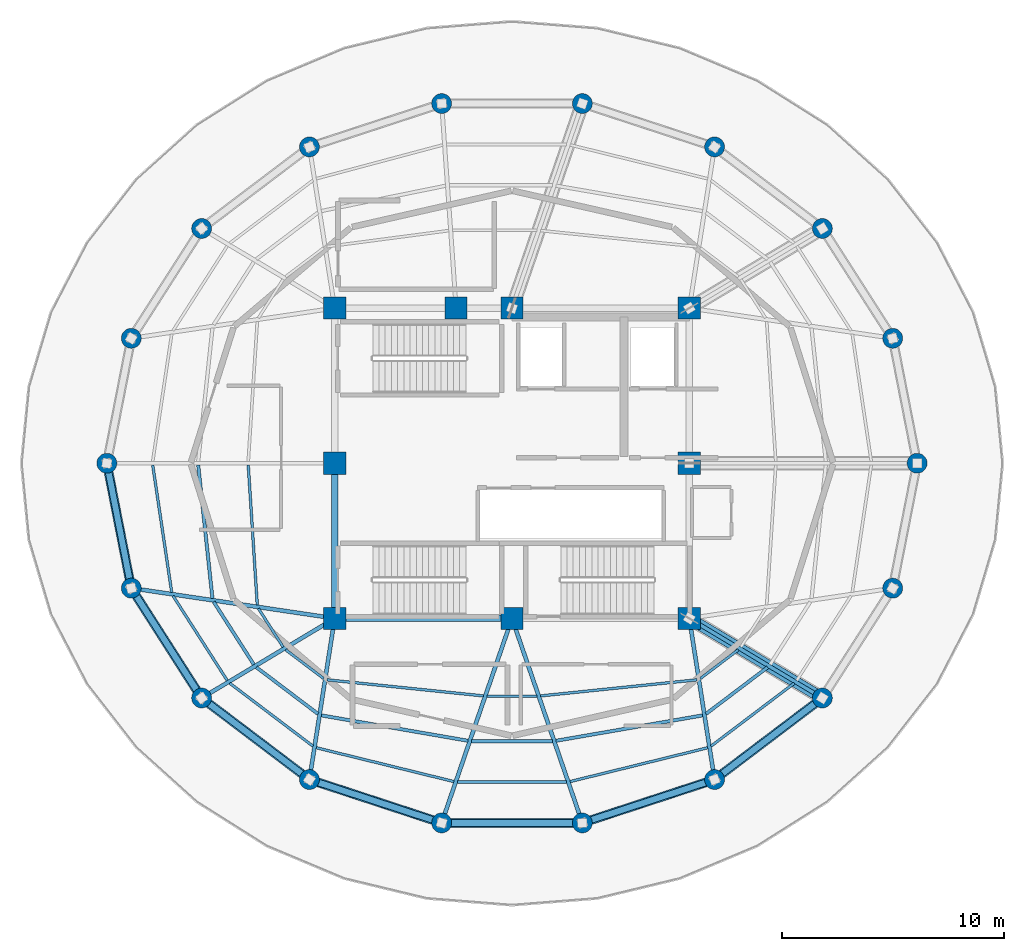
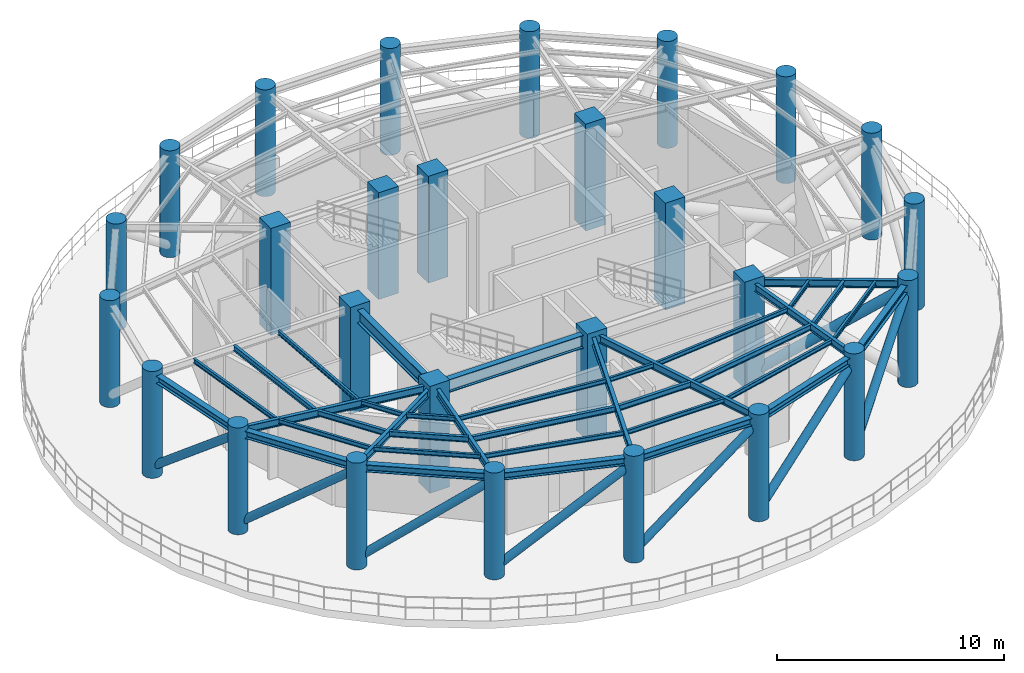
# One storey, part 1 of 8: 37 beams, 27 columns, 8 members.
"""IFC4 building model written with IfcOpenShell, lengths in metres."""

from ifc_helpers import new_model, si_unit, direction, frame, origin, origin_2d, place, context, subcontext, project, spatial, rectangle, circle, hollow_circle, i_section, extrude, material, material_profile, profile_set, type_object, element, save


model = new_model("IFC4")

# Units and contexts
model_context = context("Model", 3, precision=1e-05, world=origin(), true_north=direction((0.0, 1.0)))
body_context = subcontext(model_context, "Body", "Model", "MODEL_VIEW")
ifc_project = project(units=[si_unit("LENGTHUNIT", "METRE"), si_unit("AREAUNIT", "SQUARE_METRE"), si_unit("VOLUMEUNIT", "CUBIC_METRE"), si_unit("PLANEANGLEUNIT", "RADIAN"), si_unit("MASSUNIT", "GRAM", prefix="KILO")], contexts=[model_context])

# Site, building, storey
site_placement = place(None, origin())
site = spatial("IfcSite", under=ifc_project, at=site_placement, CompositionType="ELEMENT")
building_placement = place(site_placement, origin())
building = spatial("IfcBuilding", under=site, at=building_placement, Name="Kelanora Arch Commons", CompositionType="ELEMENT")
storey_placement = place(building_placement, frame((0.0, 0.0, 242.9599609375)))
storey = spatial("IfcBuildingStorey", under=building, at=storey_placement, Name="L62", CompositionType="ELEMENT", Elevation=242.9599609375)

# Columns
ifc_material_1 = material(Name="Concrete C50/60", Category="concrete")
ifc_material_profile_1 = material_profile(ifc_material_1, circle(Radius=0.449951171875, at=origin_2d()), Name="RCC900")
ifc_profile_set_1 = profile_set([ifc_material_profile_1], Name="Concrete C50/60")
column_type_1 = type_object("IfcColumnType", Name="COL-PERIM-Z5", PredefinedType="COLUMN", material=ifc_profile_set_1)
for number, where, z_axis, x_axis, name in (
    (1, (92.280029296875, 58.0, 0.0), (0.0, 0.0, 1.0), (1.0, 0.0, 0.0), "Perimeter Ring Column CP-00 L62"),
    (2, (91.177490234375, 63.636474609375, 0.0), (0.0, 0.0, 1.0), (1.0, 0.0, 0.0), "Perimeter Ring Column CP-02 L62"),
    (3, (88.00341796875, 68.593017578125, 0.0), (0.0, 0.0, 1.0), (1.0, 0.0, 0.0), "Perimeter Ring Column CP-04 L62"),
    (4, (83.139892578125, 72.272216796875, 0.0), (0.0, 0.0, 1.0), (1.0, 0.0, 0.0), "Perimeter Ring Column CP-06 L62"),
    (5, (77.17431640625, 74.2294921875, 0.0), (0.0, 0.0, 1.0), (1.0, 0.0, 0.0), "Perimeter Ring Column CP-08 L62"),
    (6, (70.82568359375, 74.2294921875, 0.0), (0.0, 0.0, 1.0), (1.0, 0.0, 0.0), "Perimeter Ring Column CP-10 L62"),
    (7, (64.860107421875, 72.272216796875, 0.0), (0.0, 0.0, 1.0), (1.0, 0.0, 0.0), "Perimeter Ring Column CP-12 L62"),
    (8, (59.99658203125, 68.593017578125, 0.0), (0.0, 0.0, 1.0), (1.0, 0.0, 0.0), "Perimeter Ring Column CP-14 L62"),
    (9, (56.822509765625, 63.636474609375, 0.0), (0.0, 0.0, 1.0), (1.0, 0.0, 0.0), "Perimeter Ring Column CP-16 L62"),
    (10, (55.719970703125, 58.0, 0.0), (0.0, 0.0, 1.0), (1.0, 0.0, 0.0), "Perimeter Ring Column CP-18 L62"),
    (11, (56.822509765625, 52.363525390625, 0.0), (0.0, 0.0, 1.0), (1.0, 0.0, 0.0), "Perimeter Ring Column CP-20 L62"),
    (12, (59.99658203125, 47.406982421875, 0.0), (0.0, 0.0, 1.0), (1.0, 0.0, 0.0), "Perimeter Ring Column CP-22 L62"),
    (13, (64.860107421875, 43.727783203125, 0.0), (0.0, 0.0, 1.0), (1.0, 0.0, 0.0), "Perimeter Ring Column CP-24 L62"),
    (14, (70.82568359375, 41.7705078125, 0.0), (0.0, 0.0, 1.0), (1.0, 0.0, 0.0), "Perimeter Ring Column CP-26 L62"),
    (15, (77.17431640625, 41.7705078125, 0.0), (0.0, 0.0, 1.0), (1.0, 0.0, 0.0), "Perimeter Ring Column CP-28 L62"),
    (16, (83.139892578125, 43.727783203125, 0.0), (0.0, 0.0, 1.0), (1.0, 0.0, 0.0), "Perimeter Ring Column CP-30 L62"),
    (17, (88.00341796875, 47.406982421875, 0.0), (0.0, 0.0, 1.0), (1.0, 0.0, 0.0), "Perimeter Ring Column CP-32 L62"),
    (18, (91.177490234375, 52.363525390625, 0.0), (0.0, 0.0, 1.0), (1.0, 0.0, 0.0), "Perimeter Ring Column CP-34 L62"),
):
    element("IfcColumn", number, at=place(storey_placement, frame(where, z_axis=z_axis, x_axis=x_axis)), inside=storey, type_object=column_type_1, Name=name, PredefinedType="COLUMN", context=body_context, shape_type="SweptSolid", body=[
        extrude(circle(Radius=0.449951171875, at=origin_2d()), origin(), (0.0, 0.0, 1.0), 5.739990234375),
    ])
ifc_material_profile_2 = material_profile(ifc_material_1, rectangle(XDim=1.0, YDim=1.0, at=origin_2d()), Name="RC1000x1000")
ifc_profile_set_2 = profile_set([ifc_material_profile_2], Name="Concrete C50/60")
column_type_2 = type_object("IfcColumnType", Name="COL-PIL-HIGH", PredefinedType="PILASTER", material=ifc_profile_set_2)
for number, where, z_axis, x_axis, name in (
    (19, (66.0, 51.0, 0.0), (0.0, 0.0, 1.0), (1.0, 0.0, 0.0), "Core Pilaster Column CP1 L62"),
    (20, (74.0, 51.0, 0.0), (0.0, 0.0, 1.0), (1.0, 0.0, 0.0), "Core Pilaster Column CP2 L62"),
    (21, (82.0, 51.0, 0.0), (0.0, 0.0, 1.0), (1.0, 0.0, 0.0), "Core Pilaster Column CP3 L62"),
    (22, (82.0, 58.0, 0.0), (0.0, 0.0, 1.0), (1.0, 0.0, 0.0), "Core Pilaster Column CP4 L62"),
    (23, (82.0, 65.0, 0.0), (0.0, 0.0, 1.0), (1.0, 0.0, 0.0), "Core Pilaster Column CP5 L62"),
    (24, (74.0, 65.0, 0.0), (0.0, 0.0, 1.0), (1.0, 0.0, 0.0), "Core Pilaster Column CP6 L62"),
    (25, (71.47998046875, 65.0, 0.0), (0.0, 0.0, 1.0), (1.0, 0.0, 0.0), "Core Pilaster Column CP9 L62"),
    (26, (66.0, 65.0, 0.0), (0.0, 0.0, 1.0), (1.0, 0.0, 0.0), "Core Pilaster Column CP7 L62"),
    (27, (66.0, 58.0, 0.0), (0.0, 0.0, 1.0), (1.0, 0.0, 0.0), "Core Pilaster Column CP8 L62"),
):
    element("IfcColumn", number, at=place(storey_placement, frame(where, z_axis=z_axis, x_axis=x_axis)), inside=storey, type_object=column_type_2, Name=name, PredefinedType="PILASTER", context=body_context, shape_type="SweptSolid", body=[
        extrude(rectangle(XDim=1.0, YDim=1.0, at=origin_2d()), origin(), (0.0, 0.0, 1.0), 5.739990234375),
    ])

# Beams
ifc_material_2 = material(Name="Steel S355", Category="steel")
ifc_material_profile_3 = material_profile(ifc_material_2, i_section(OverallWidth=0.300048828125, OverallDepth=0.699951171875, WebThickness=0.01708984375, FlangeThickness=0.031982421875, FilletRadius=0.027099609375, at=origin_2d()), Name="HEB700")
ifc_profile_set_3 = profile_set([ifc_material_profile_3], Name="Steel S355")
beam_type_1 = type_object("IfcBeamType", Name="BM-CORE-HDR", PredefinedType="BEAM", material=ifc_profile_set_3)
beam_1_placement = place(storey_placement, frame((66.0, 51.0, 5.130126953125), z_axis=(1.0, 0.0, 0.0), x_axis=(0.0, 1.0, 0.0)))
element("IfcBeam", 28, at=beam_1_placement, inside=storey, type_object=beam_type_1, Name="Core Header Beam 01 L62", PredefinedType="BEAM", context=body_context, shape_type="SweptSolid", body=[
    extrude(i_section(OverallWidth=0.300048828125, OverallDepth=0.699951171875, WebThickness=0.01708984375, FlangeThickness=0.031982421875, FilletRadius=0.027099609375, at=origin_2d()), origin(), (0.0, 0.0, 1.0), 8.0),
])
beam_2_placement = place(storey_placement, frame((66.0, 58.0, 5.130126953125), z_axis=(0.0, -1.0, 0.0), x_axis=(1.0, 0.0, 0.0)))
element("IfcBeam", 29, at=beam_2_placement, inside=storey, type_object=beam_type_1, Name="Core Header Beam 09 L62", PredefinedType="BEAM", context=body_context, shape_type="SweptSolid", body=[
    extrude(i_section(OverallWidth=0.300048828125, OverallDepth=0.699951171875, WebThickness=0.01708984375, FlangeThickness=0.031982421875, FilletRadius=0.027099609375, at=origin_2d()), origin(), (0.0, 0.0, 1.0), 7.0),
])
ifc_material_profile_4 = material_profile(ifc_material_2, i_section(OverallWidth=0.14990234375, OverallDepth=0.300048828125, WebThickness=0.007080078125, FlangeThickness=0.0107421875, FilletRadius=0.014892578125, at=origin_2d()), Name="IPE300")
ifc_profile_set_4 = profile_set([ifc_material_profile_4], Name="Steel S355")
beam_type_2 = type_object("IfcBeamType", Name="BM-JST-01", PredefinedType="JOIST", material=ifc_profile_set_4)
beam_3_placement = place(storey_placement, frame((59.841064453125, 57.91552734375, 5.330078125), z_axis=(0.106380594087, -0.994325484538, 0.0), x_axis=(0.994325484538, 0.106380594087, 0.0)))
element("IfcBeam", 30, at=beam_3_placement, inside=storey, type_object=beam_type_2, Name="Secondary Chord Joist BJB-18 L62", PredefinedType="JOIST", context=body_context, shape_type="SweptSolid", body=[
    extrude(i_section(OverallWidth=0.14990234375, OverallDepth=0.300048828125, WebThickness=0.007080078125, FlangeThickness=0.0107421875, FilletRadius=0.014892578125, at=origin_2d()), origin(), (0.0, 0.0, 1.0), 6.04736328125),
])
beam_4_placement = place(storey_placement, frame((60.539306640625, 51.74658203125, 5.330078125), z_axis=(0.539321586177, -0.842099891155, 0.0), x_axis=(0.842099891155, 0.539321586177, 0.0)))
element("IfcBeam", 31, at=beam_4_placement, inside=storey, type_object=beam_type_2, Name="Secondary Chord Joist BJB-20 L62", PredefinedType="JOIST", context=body_context, shape_type="SweptSolid", body=[
    extrude(i_section(OverallWidth=0.14990234375, OverallDepth=0.300048828125, WebThickness=0.007080078125, FlangeThickness=0.0107421875, FilletRadius=0.014892578125, at=origin_2d()), origin(), (0.0, 0.0, 1.0), 3.361572265625),
])
beam_5_placement = place(storey_placement, frame((62.4658203125, 48.79296875, 5.330078125), z_axis=(0.797499198801, -0.603320004568, 0.0), x_axis=(0.603320004568, 0.797499198801, 0.0)))
element("IfcBeam", 32, at=beam_5_placement, inside=storey, type_object=beam_type_2, Name="Secondary Chord Joist BJB-22 L62", PredefinedType="JOIST", context=body_context, shape_type="SweptSolid", body=[
    extrude(i_section(OverallWidth=0.14990234375, OverallDepth=0.300048828125, WebThickness=0.007080078125, FlangeThickness=0.0107421875, FilletRadius=0.014892578125, at=origin_2d()), origin(), (0.0, 0.0, 1.0), 3.489013671875),
])
beam_6_placement = place(storey_placement, frame((65.39990234375, 46.622314453125, 5.330078125), z_axis=(0.985321568263, -0.170708544357, 0.0), x_axis=(0.170708544357, 0.985321568263, 0.0)))
element("IfcBeam", 33, at=beam_6_placement, inside=storey, type_object=beam_type_2, Name="Secondary Chord Joist BJB-24 L62", PredefinedType="JOIST", context=body_context, shape_type="SweptSolid", body=[
    extrude(i_section(OverallWidth=0.14990234375, OverallDepth=0.300048828125, WebThickness=0.007080078125, FlangeThickness=0.0107421875, FilletRadius=0.014892578125, at=origin_2d()), origin(), (0.0, 0.0, 1.0), 6.710205078125),
])
beam_7_placement = place(storey_placement, frame((72.180419921875, 45.462158203125, 5.330078125), z_axis=(1.0, 0.0, 0.0), x_axis=(0.0, 1.0, 0.0)))
element("IfcBeam", 34, at=beam_7_placement, inside=storey, type_object=beam_type_2, Name="Secondary Chord Joist BJB-26 L62", PredefinedType="JOIST", context=body_context, shape_type="SweptSolid", body=[
    extrude(i_section(OverallWidth=0.14990234375, OverallDepth=0.300048828125, WebThickness=0.007080078125, FlangeThickness=0.0107421875, FilletRadius=0.014892578125, at=origin_2d()), origin(), (0.0, 0.0, 1.0), 3.63916015625),
])
beam_8_placement = place(storey_placement, frame((75.98828125, 45.476806640625, 5.330078125), z_axis=(0.985321568263, 0.170708544357, 0.0), x_axis=(-0.170708544357, 0.985321568263, 0.0)))
element("IfcBeam", 35, at=beam_8_placement, inside=storey, type_object=beam_type_2, Name="Secondary Chord Joist BJB-28 L62", PredefinedType="JOIST", context=body_context, shape_type="SweptSolid", body=[
    extrude(i_section(OverallWidth=0.14990234375, OverallDepth=0.300048828125, WebThickness=0.007080078125, FlangeThickness=0.0107421875, FilletRadius=0.014892578125, at=origin_2d()), origin(), (0.0, 0.0, 1.0), 6.710205078125),
])
beam_9_placement = place(storey_placement, frame((82.751708984375, 46.68798828125, 5.330078125), z_axis=(0.797499198801, 0.603320004568, 0.0), x_axis=(-0.603320004568, 0.797499198801, 0.0)))
element("IfcBeam", 36, at=beam_9_placement, inside=storey, type_object=beam_type_2, Name="Secondary Chord Joist BJB-30 L62", PredefinedType="JOIST", context=body_context, shape_type="SweptSolid", body=[
    extrude(i_section(OverallWidth=0.14990234375, OverallDepth=0.300048828125, WebThickness=0.007080078125, FlangeThickness=0.0107421875, FilletRadius=0.014892578125, at=origin_2d()), origin(), (0.0, 0.0, 1.0), 3.489013671875),
])
ifc_material_profile_5 = material_profile(ifc_material_2, i_section(OverallWidth=0.1201171875, OverallDepth=0.239990234375, WebThickness=0.006103515625, FlangeThickness=0.009765625, FilletRadius=0.014892578125, at=origin_2d()), Name="IPE240")
ifc_profile_set_5 = profile_set([ifc_material_profile_5], Name="Steel S355")
beam_type_3 = type_object("IfcBeamType", Name="BM-JST-02", PredefinedType="JOIST", material=ifc_profile_set_5)
beam_10_placement = place(storey_placement, frame((62.09912109375, 57.915283203125, 5.360107421875), z_axis=(0.064495107978, -0.99791802321, 0.0), x_axis=(0.99791802321, 0.064495107978, 0.0)))
element("IfcBeam", 37, at=beam_10_placement, inside=storey, type_object=beam_type_3, Name="Secondary Chord Joist BJA-18 L62", PredefinedType="JOIST", context=body_context, shape_type="SweptSolid", body=[
    extrude(i_section(OverallWidth=0.1201171875, OverallDepth=0.239990234375, WebThickness=0.006103515625, FlangeThickness=0.009765625, FilletRadius=0.014892578125, at=origin_2d()), origin(), (0.0, 0.0, 1.0), 6.325439453125),
])
beam_11_placement = place(storey_placement, frame((57.78857421875, 57.916015625, 5.360107421875), z_axis=(0.14762470282, -0.989043450571, 0.0), x_axis=(0.989043450571, 0.14762470282, 0.0)))
element("IfcBeam", 38, at=beam_11_placement, inside=storey, type_object=beam_type_3, Name="Secondary Chord Joist BJC-18 L62", PredefinedType="JOIST", context=body_context, shape_type="SweptSolid", body=[
    extrude(i_section(OverallWidth=0.1201171875, OverallDepth=0.239990234375, WebThickness=0.006103515625, FlangeThickness=0.009765625, FilletRadius=0.014892578125, at=origin_2d()), origin(), (0.0, 0.0, 1.0), 5.804931640625),
])
beam_12_placement = place(storey_placement, frame((62.558349609375, 51.446533203125, 5.360107421875), z_axis=(0.539311810315, -0.842106152011, 0.0), x_axis=(0.842106152011, 0.539311810315, 0.0)))
element("IfcBeam", 39, at=beam_12_placement, inside=storey, type_object=beam_type_3, Name="Secondary Chord Joist BJA-20 L62", PredefinedType="JOIST", context=body_context, shape_type="SweptSolid", body=[
    extrude(i_section(OverallWidth=0.1201171875, OverallDepth=0.239990234375, WebThickness=0.006103515625, FlangeThickness=0.009765625, FilletRadius=0.014892578125, at=origin_2d()), origin(), (0.0, 0.0, 1.0), 2.06640625),
])
beam_13_placement = place(storey_placement, frame((58.703857421875, 52.019287109375, 5.360107421875), z_axis=(0.539288735289, -0.842120929552, 0.0), x_axis=(0.842120929552, 0.539288735289, 0.0)))
element("IfcBeam", 40, at=beam_13_placement, inside=storey, type_object=beam_type_3, Name="Secondary Chord Joist BJC-20 L62", PredefinedType="JOIST", context=body_context, shape_type="SweptSolid", body=[
    extrude(i_section(OverallWidth=0.1201171875, OverallDepth=0.239990234375, WebThickness=0.006103515625, FlangeThickness=0.009765625, FilletRadius=0.014892578125, at=origin_2d()), origin(), (0.0, 0.0, 1.0), 4.538818359375),
])
beam_14_placement = place(storey_placement, frame((63.78662109375, 49.583251953125, 5.360107421875), z_axis=(0.797509883882, -0.603305880222, 0.0), x_axis=(0.603305880222, 0.797509883882, 0.0)))
element("IfcBeam", 41, at=beam_14_placement, inside=storey, type_object=beam_type_3, Name="Secondary Chord Joist BJA-22 L62", PredefinedType="JOIST", context=body_context, shape_type="SweptSolid", body=[
    extrude(i_section(OverallWidth=0.1201171875, OverallDepth=0.239990234375, WebThickness=0.006103515625, FlangeThickness=0.009765625, FilletRadius=0.014892578125, at=origin_2d()), origin(), (0.0, 0.0, 1.0), 2.147216796875),
])
beam_15_placement = place(storey_placement, frame((61.26513671875, 48.07421875, 5.360107421875), z_axis=(0.79752302984, -0.60328850219, 0.0), x_axis=(0.60328850219, 0.79752302984, 0.0)))
element("IfcBeam", 42, at=beam_15_placement, inside=storey, type_object=beam_type_3, Name="Secondary Chord Joist BJC-22 L62", PredefinedType="JOIST", context=body_context, shape_type="SweptSolid", body=[
    extrude(i_section(OverallWidth=0.1201171875, OverallDepth=0.239990234375, WebThickness=0.006103515625, FlangeThickness=0.009765625, FilletRadius=0.014892578125, at=origin_2d()), origin(), (0.0, 0.0, 1.0), 4.70849609375),
])
beam_16_placement = place(storey_placement, frame((65.6513671875, 48.227783203125, 5.360107421875), z_axis=(0.994746545688, -0.102368500239, 0.0), x_axis=(0.102368500239, 0.994746545688, 0.0)))
element("IfcBeam", 43, at=beam_16_placement, inside=storey, type_object=beam_type_3, Name="Secondary Chord Joist BJA-24 L62", PredefinedType="JOIST", context=body_context, shape_type="SweptSolid", body=[
    extrude(i_section(OverallWidth=0.1201171875, OverallDepth=0.239990234375, WebThickness=0.006103515625, FlangeThickness=0.009765625, FilletRadius=0.014892578125, at=origin_2d()), origin(), (0.0, 0.0, 1.0), 7.09521484375),
])
beam_17_placement = place(storey_placement, frame((65.17041015625, 45.162109375, 5.360107421875), z_axis=(0.971109719488, -0.23863342749, 0.0), x_axis=(0.23863342749, 0.971109719488, 0.0)))
element("IfcBeam", 44, at=beam_17_placement, inside=storey, type_object=beam_type_3, Name="Secondary Chord Joist BJC-24 L62", PredefinedType="JOIST", context=body_context, shape_type="SweptSolid", body=[
    extrude(i_section(OverallWidth=0.1201171875, OverallDepth=0.239990234375, WebThickness=0.006103515625, FlangeThickness=0.009765625, FilletRadius=0.014892578125, at=origin_2d()), origin(), (0.0, 0.0, 1.0), 6.39208984375),
])
beam_18_placement = place(storey_placement, frame((72.87890625, 47.492919921875, 5.360107421875), z_axis=(1.0, 0.0, 0.0), x_axis=(0.0, 1.0, 0.0)))
element("IfcBeam", 45, at=beam_18_placement, inside=storey, type_object=beam_type_3, Name="Secondary Chord Joist BJA-26 L62", PredefinedType="JOIST", context=body_context, shape_type="SweptSolid", body=[
    extrude(i_section(OverallWidth=0.1201171875, OverallDepth=0.239990234375, WebThickness=0.006103515625, FlangeThickness=0.009765625, FilletRadius=0.014892578125, at=origin_2d()), origin(), (0.0, 0.0, 1.0), 2.2421875),
])
beam_19_placement = place(storey_placement, frame((71.545654296875, 43.6162109375, 5.360107421875), z_axis=(1.0, 0.0, 0.0), x_axis=(0.0, 1.0, 0.0)))
element("IfcBeam", 46, at=beam_19_placement, inside=storey, type_object=beam_type_3, Name="Secondary Chord Joist BJC-26 L62", PredefinedType="JOIST", context=body_context, shape_type="SweptSolid", body=[
    extrude(i_section(OverallWidth=0.1201171875, OverallDepth=0.239990234375, WebThickness=0.006103515625, FlangeThickness=0.009765625, FilletRadius=0.014892578125, at=origin_2d()), origin(), (0.0, 0.0, 1.0), 4.90869140625),
])
beam_20_placement = place(storey_placement, frame((75.290771484375, 47.50146484375, 5.360107421875), z_axis=(0.994746545688, 0.102368500239, 0.0), x_axis=(-0.102368500239, 0.994746545688, 0.0)))
element("IfcBeam", 47, at=beam_20_placement, inside=storey, type_object=beam_type_3, Name="Secondary Chord Joist BJA-28 L62", PredefinedType="JOIST", context=body_context, shape_type="SweptSolid", body=[
    extrude(i_section(OverallWidth=0.1201171875, OverallDepth=0.239990234375, WebThickness=0.006103515625, FlangeThickness=0.009765625, FilletRadius=0.014892578125, at=origin_2d()), origin(), (0.0, 0.0, 1.0), 7.09521484375),
])
beam_21_placement = place(storey_placement, frame((76.6220703125, 43.63671875, 5.360107421875), z_axis=(0.971109719488, 0.23863342749, 0.0), x_axis=(-0.23863342749, 0.971109719488, 0.0)))
element("IfcBeam", 48, at=beam_21_placement, inside=storey, type_object=beam_type_3, Name="Secondary Chord Joist BJC-28 L62", PredefinedType="JOIST", context=body_context, shape_type="SweptSolid", body=[
    extrude(i_section(OverallWidth=0.1201171875, OverallDepth=0.239990234375, WebThickness=0.006103515625, FlangeThickness=0.009765625, FilletRadius=0.014892578125, at=origin_2d()), origin(), (0.0, 0.0, 1.0), 6.39208984375),
])
beam_22_placement = place(storey_placement, frame((82.5009765625, 48.287841796875, 5.360107421875), z_axis=(0.797509883882, 0.603305880222, 0.0), x_axis=(-0.603305880222, 0.797509883882, 0.0)))
element("IfcBeam", 49, at=beam_22_placement, inside=storey, type_object=beam_type_3, Name="Secondary Chord Joist BJA-30 L62", PredefinedType="JOIST", context=body_context, shape_type="SweptSolid", body=[
    extrude(i_section(OverallWidth=0.1201171875, OverallDepth=0.239990234375, WebThickness=0.006103515625, FlangeThickness=0.009765625, FilletRadius=0.014892578125, at=origin_2d()), origin(), (0.0, 0.0, 1.0), 2.147216796875),
])
beam_23_placement = place(storey_placement, frame((82.979736328125, 45.233642578125, 5.360107421875), z_axis=(0.79752302984, 0.60328850219, 0.0), x_axis=(-0.60328850219, 0.79752302984, 0.0)))
element("IfcBeam", 50, at=beam_23_placement, inside=storey, type_object=beam_type_3, Name="Secondary Chord Joist BJC-30 L62", PredefinedType="JOIST", context=body_context, shape_type="SweptSolid", body=[
    extrude(i_section(OverallWidth=0.1201171875, OverallDepth=0.239990234375, WebThickness=0.006103515625, FlangeThickness=0.009765625, FilletRadius=0.014892578125, at=origin_2d()), origin(), (0.0, 0.0, 1.0), 4.70849609375),
])
ifc_material_profile_6 = material_profile(ifc_material_2, i_section(OverallWidth=0.179931640625, OverallDepth=0.39990234375, WebThickness=0.008544921875, FlangeThickness=0.013427734375, FilletRadius=0.02099609375, at=origin_2d()), Name="IPE400")
ifc_profile_set_6 = profile_set([ifc_material_profile_6], Name="Steel S355")
beam_type_4 = type_object("IfcBeamType", Name="BM-RAD-Z5", PredefinedType="BEAM", material=ifc_profile_set_6)
beam_24_placement = place(storey_placement, frame((66.0, 51.0, 5.280029296875), z_axis=(-0.989142485564, 0.146959665395, 0.0), x_axis=(-0.146959665395, -0.989142485564, 0.0)))
element("IfcBeam", 51, at=beam_24_placement, inside=storey, type_object=beam_type_4, Name="Radial Floor Girder BR-20 L62", PredefinedType="BEAM", context=body_context, shape_type="SweptSolid", body=[
    extrude(i_section(OverallWidth=0.179931640625, OverallDepth=0.39990234375, WebThickness=0.008544921875, FlangeThickness=0.013427734375, FilletRadius=0.02099609375, at=origin_2d()), origin(), (0.0, 0.0, 1.0), 9.2783203125),
])
beam_25_placement = place(storey_placement, frame((66.0, 51.0, 5.280029296875), z_axis=(-0.858062005744, -0.513546097541, 0.0), x_axis=(0.513546097541, -0.858062005744, 0.0)))
element("IfcBeam", 52, at=beam_25_placement, inside=storey, type_object=beam_type_4, Name="Radial Floor Girder BR-22 L62", PredefinedType="BEAM", context=body_context, shape_type="SweptSolid", body=[
    extrude(i_section(OverallWidth=0.179931640625, OverallDepth=0.39990234375, WebThickness=0.008544921875, FlangeThickness=0.013427734375, FilletRadius=0.02099609375, at=origin_2d()), origin(), (0.0, 0.0, 1.0), 6.99658203125),
])
beam_26_placement = place(storey_placement, frame((66.0, 51.0, 5.280029296875), z_axis=(-0.154855424129, -0.987937142544, 0.0), x_axis=(0.987937142544, -0.154855424129, 0.0)))
element("IfcBeam", 53, at=beam_26_placement, inside=storey, type_object=beam_type_4, Name="Radial Floor Girder BR-24 L62", PredefinedType="BEAM", context=body_context, shape_type="SweptSolid", body=[
    extrude(i_section(OverallWidth=0.179931640625, OverallDepth=0.39990234375, WebThickness=0.008544921875, FlangeThickness=0.013427734375, FilletRadius=0.02099609375, at=origin_2d()), origin(), (0.0, 0.0, 1.0), 7.361083984375),
])
for number, where, z_axis, x_axis, name in (
    (54, (74.0, 51.0, 5.280029296875), (-0.325233562807, -0.945633718532, 0.0), (0.945633718532, -0.325233562807, 0.0), "Radial Floor Girder BR-26 L62"),
    (55, (74.0, 51.0, 5.280029296875), (0.325233562807, -0.945633718532, 0.0), (0.945633718532, 0.325233562807, 0.0), "Radial Floor Girder BR-28 L62"),
):
    element("IfcBeam", number, at=place(storey_placement, frame(where, z_axis=z_axis, x_axis=x_axis)), inside=storey, type_object=beam_type_4, Name=name, PredefinedType="BEAM", context=body_context, shape_type="SweptSolid", body=[
        extrude(i_section(OverallWidth=0.179931640625, OverallDepth=0.39990234375, WebThickness=0.008544921875, FlangeThickness=0.013427734375, FilletRadius=0.02099609375, at=origin_2d()), origin(), (0.0, 0.0, 1.0), 9.760009765625),
    ])
beam_27_placement = place(storey_placement, frame((82.0, 51.0, 5.280029296875), z_axis=(0.154855424129, -0.987937142544, 0.0), x_axis=(0.987937142544, 0.154855424129, 0.0)))
element("IfcBeam", 56, at=beam_27_placement, inside=storey, type_object=beam_type_4, Name="Radial Floor Girder BR-30 L62", PredefinedType="BEAM", context=body_context, shape_type="SweptSolid", body=[
    extrude(i_section(OverallWidth=0.179931640625, OverallDepth=0.39990234375, WebThickness=0.008544921875, FlangeThickness=0.013427734375, FilletRadius=0.02099609375, at=origin_2d()), origin(), (0.0, 0.0, 1.0), 7.361083984375),
])
beam_28_placement = place(storey_placement, frame((82.0, 51.0, 5.280029296875), z_axis=(0.858062005744, -0.513546097541, 0.0), x_axis=(0.513546097541, 0.858062005744, 0.0)))
element("IfcBeam", 57, at=beam_28_placement, inside=storey, type_object=beam_type_4, Name="Radial Floor Girder BR-32 L62", PredefinedType="BEAM", context=body_context, shape_type="SweptSolid", body=[
    extrude(i_section(OverallWidth=0.179931640625, OverallDepth=0.39990234375, WebThickness=0.008544921875, FlangeThickness=0.013427734375, FilletRadius=0.02099609375, at=origin_2d()), origin(), (0.0, 0.0, 1.0), 6.99658203125),
])
ifc_material_profile_7 = material_profile(ifc_material_2, i_section(OverallWidth=0.300048828125, OverallDepth=0.39990234375, WebThickness=0.013427734375, FlangeThickness=0.02392578125, FilletRadius=0.027099609375, at=origin_2d()), Name="HEB400")
ifc_profile_set_7 = profile_set([ifc_material_profile_7], Name="Steel S355")
beam_type_5 = type_object("IfcBeamType", Name="BM-SPN-Z4", PredefinedType="SPANDREL", material=ifc_profile_set_7)
beam_29_placement = place(storey_placement, frame((55.719970703125, 58.0, 5.280029296875), z_axis=(0.191969774604, -0.981400838413, 0.0), x_axis=(0.981400838413, 0.191969774604, 0.0)))
element("IfcBeam", 58, at=beam_29_placement, inside=storey, type_object=beam_type_5, Name="Perimeter Spandrel Beam BS-18 L62", PredefinedType="SPANDREL", context=body_context, shape_type="SweptSolid", body=[
    extrude(i_section(OverallWidth=0.300048828125, OverallDepth=0.39990234375, WebThickness=0.013427734375, FlangeThickness=0.02392578125, FilletRadius=0.027099609375, at=origin_2d()), origin(), (0.0, 0.0, 1.0), 5.743408203125),
])
beam_30_placement = place(storey_placement, frame((56.822509765625, 52.363525390625, 5.280029296875), z_axis=(0.539280851353, -0.842125978322, 0.0), x_axis=(0.842125978322, 0.539280851353, 0.0)))
element("IfcBeam", 59, at=beam_30_placement, inside=storey, type_object=beam_type_5, Name="Perimeter Spandrel Beam BS-20 L62", PredefinedType="SPANDREL", context=body_context, shape_type="SweptSolid", body=[
    extrude(i_section(OverallWidth=0.300048828125, OverallDepth=0.39990234375, WebThickness=0.013427734375, FlangeThickness=0.02392578125, FilletRadius=0.027099609375, at=origin_2d()), origin(), (0.0, 0.0, 1.0), 5.8857421875),
])
beam_31_placement = place(storey_placement, frame((59.99658203125, 47.406982421875, 5.280029296875), z_axis=(0.797509460967, -0.603306439273, 0.0), x_axis=(0.603306439273, 0.797509460967, 0.0)))
element("IfcBeam", 60, at=beam_31_placement, inside=storey, type_object=beam_type_5, Name="Perimeter Spandrel Beam BS-22 L62", PredefinedType="SPANDREL", context=body_context, shape_type="SweptSolid", body=[
    extrude(i_section(OverallWidth=0.300048828125, OverallDepth=0.39990234375, WebThickness=0.013427734375, FlangeThickness=0.02392578125, FilletRadius=0.027099609375, at=origin_2d()), origin(), (0.0, 0.0, 1.0), 6.098388671875),
])
beam_32_placement = place(storey_placement, frame((64.860107421875, 43.727783203125, 5.280029296875), z_axis=(0.950165923039, -0.311744636996, 0.0), x_axis=(0.311744636996, 0.950165923039, 0.0)))
element("IfcBeam", 61, at=beam_32_placement, inside=storey, type_object=beam_type_5, Name="Perimeter Spandrel Beam BS-24 L62", PredefinedType="SPANDREL", context=body_context, shape_type="SweptSolid", body=[
    extrude(i_section(OverallWidth=0.300048828125, OverallDepth=0.39990234375, WebThickness=0.013427734375, FlangeThickness=0.02392578125, FilletRadius=0.027099609375, at=origin_2d()), origin(), (0.0, 0.0, 1.0), 6.278564453125),
])
beam_33_placement = place(storey_placement, frame((70.82568359375, 41.7705078125, 5.280029296875), z_axis=(1.0, 0.0, 0.0), x_axis=(0.0, 1.0, 0.0)))
element("IfcBeam", 62, at=beam_33_placement, inside=storey, type_object=beam_type_5, Name="Perimeter Spandrel Beam BS-26 L62", PredefinedType="SPANDREL", context=body_context, shape_type="SweptSolid", body=[
    extrude(i_section(OverallWidth=0.300048828125, OverallDepth=0.39990234375, WebThickness=0.013427734375, FlangeThickness=0.02392578125, FilletRadius=0.027099609375, at=origin_2d()), origin(), (0.0, 0.0, 1.0), 6.3486328125),
])
beam_34_placement = place(storey_placement, frame((77.17431640625, 41.7705078125, 5.280029296875), z_axis=(0.950165923039, 0.311744636996, 0.0), x_axis=(-0.311744636996, 0.950165923039, 0.0)))
element("IfcBeam", 63, at=beam_34_placement, inside=storey, type_object=beam_type_5, Name="Perimeter Spandrel Beam BS-28 L62", PredefinedType="SPANDREL", context=body_context, shape_type="SweptSolid", body=[
    extrude(i_section(OverallWidth=0.300048828125, OverallDepth=0.39990234375, WebThickness=0.013427734375, FlangeThickness=0.02392578125, FilletRadius=0.027099609375, at=origin_2d()), origin(), (0.0, 0.0, 1.0), 6.278564453125),
])
beam_35_placement = place(storey_placement, frame((83.139892578125, 43.727783203125, 5.280029296875), z_axis=(0.797509460967, 0.603306439273, 0.0), x_axis=(-0.603306439273, 0.797509460967, 0.0)))
element("IfcBeam", 64, at=beam_35_placement, inside=storey, type_object=beam_type_5, Name="Perimeter Spandrel Beam BS-30 L62", PredefinedType="SPANDREL", context=body_context, shape_type="SweptSolid", body=[
    extrude(i_section(OverallWidth=0.300048828125, OverallDepth=0.39990234375, WebThickness=0.013427734375, FlangeThickness=0.02392578125, FilletRadius=0.027099609375, at=origin_2d()), origin(), (0.0, 0.0, 1.0), 6.098388671875),
])

# Members
ifc_material_profile_8 = material_profile(ifc_material_2, hollow_circle(Radius=0.203125, WallThickness=0.02001953125, at=origin_2d()), Name="CHS406.4x20")
ifc_profile_set_8 = profile_set([ifc_material_profile_8], Name="Steel S355")
member_type_1 = type_object("IfcMemberType", Name="MEM-BELT-DIAG", PredefinedType="BRACE", material=ifc_profile_set_8)
member_1_placement = place(storey_placement, frame((55.719970703125, 58.0, 0.35009765625), z_axis=(0.147551678196, -0.754323648033, 0.639706445395), x_axis=(0.981400838413, 0.191969774604, 0.0)))
element("IfcMember", 65, at=member_1_placement, inside=storey, type_object=member_type_1, Name="Belt Truss Diagonal MB-18 L62", PredefinedType="BRACE", context=body_context, shape_type="SweptSolid", body=[
    extrude(hollow_circle(Radius=0.203125, WallThickness=0.02001953125, at=origin_2d()), origin(), (0.0, 0.0, 1.0), 7.47216796875),
])
member_2_placement = place(storey_placement, frame((56.822509765625, 52.363525390625, 0.35009765625), z_axis=(0.418617989209, -0.653702208824, 0.630422399102), x_axis=(0.842125978322, 0.539280851353, 0.0)))
element("IfcMember", 66, at=member_2_placement, inside=storey, type_object=member_type_1, Name="Belt Truss Diagonal MB-20 L62", PredefinedType="BRACE", context=body_context, shape_type="SweptSolid", body=[
    extrude(hollow_circle(Radius=0.203125, WallThickness=0.02001953125, at=origin_2d()), origin(), (0.0, 0.0, 1.0), 7.582275390625),
])
member_3_placement = place(storey_placement, frame((59.99658203125, 47.406982421875, 0.35009765625), z_axis=(0.627674120976, -0.474828020838, 0.61689832913), x_axis=(0.603306439273, 0.797509460967, 0.0)))
element("IfcMember", 67, at=member_3_placement, inside=storey, type_object=member_type_1, Name="Belt Truss Diagonal MB-22 L62", PredefinedType="BRACE", context=body_context, shape_type="SweptSolid", body=[
    extrude(hollow_circle(Radius=0.203125, WallThickness=0.02001953125, at=origin_2d()), origin(), (0.0, 0.0, 1.0), 7.74853515625),
])
member_4_placement = place(storey_placement, frame((64.860107421875, 43.727783203125, 0.35009765625), z_axis=(0.755998549008, -0.248039302943, 0.605757953388), x_axis=(0.311744636996, 0.950165923039, 0.0)))
element("IfcMember", 68, at=member_4_placement, inside=storey, type_object=member_type_1, Name="Belt Truss Diagonal MB-24 L62", PredefinedType="BRACE", context=body_context, shape_type="SweptSolid", body=[
    extrude(hollow_circle(Radius=0.203125, WallThickness=0.02001953125, at=origin_2d()), origin(), (0.0, 0.0, 1.0), 7.890869140625),
])
member_5_placement = place(storey_placement, frame((70.82568359375, 41.7705078125, 0.35009765625), z_axis=(0.798877889728, 0.0, 0.601493239616), x_axis=(0.0, 1.0, 0.0)))
element("IfcMember", 69, at=member_5_placement, inside=storey, type_object=member_type_1, Name="Belt Truss Diagonal MB-26 L62", PredefinedType="BRACE", context=body_context, shape_type="SweptSolid", body=[
    extrude(hollow_circle(Radius=0.203125, WallThickness=0.02001953125, at=origin_2d()), origin(), (0.0, 0.0, 1.0), 7.947021484375),
])
member_6_placement = place(storey_placement, frame((77.17431640625, 41.7705078125, 0.35009765625), z_axis=(0.755998549008, 0.248039302943, 0.605757953388), x_axis=(-0.311744636996, 0.950165923039, 0.0)))
element("IfcMember", 70, at=member_6_placement, inside=storey, type_object=member_type_1, Name="Belt Truss Diagonal MB-28 L62", PredefinedType="BRACE", context=body_context, shape_type="SweptSolid", body=[
    extrude(hollow_circle(Radius=0.203125, WallThickness=0.02001953125, at=origin_2d()), origin(), (0.0, 0.0, 1.0), 7.890869140625),
])
member_7_placement = place(storey_placement, frame((83.139892578125, 43.727783203125, 0.35009765625), z_axis=(0.627674120976, 0.474828020838, 0.61689832913), x_axis=(-0.603306439273, 0.797509460967, 0.0)))
element("IfcMember", 71, at=member_7_placement, inside=storey, type_object=member_type_1, Name="Belt Truss Diagonal MB-30 L62", PredefinedType="BRACE", context=body_context, shape_type="SweptSolid", body=[
    extrude(hollow_circle(Radius=0.203125, WallThickness=0.02001953125, at=origin_2d()), origin(), (0.0, 0.0, 1.0), 7.74853515625),
])
ifc_material_profile_9 = material_profile(ifc_material_2, hollow_circle(Radius=0.25390625, WallThickness=0.02490234375, at=origin_2d()), Name="CHS508x25")
ifc_profile_set_9 = profile_set([ifc_material_profile_9], Name="Steel S355")
member_type_2 = type_object("IfcMemberType", Name="MEM-OUT-DIAG", PredefinedType="BRACE", material=ifc_profile_set_9)
member_8_placement = place(storey_placement, frame((82.0, 51.0, 0.35009765625), z_axis=(0.708496849076, -0.424032050746, 0.564117926314), x_axis=(0.513546097541, 0.858062005744, 0.0)))
element("IfcMember", 72, at=member_8_placement, inside=storey, type_object=member_type_2, Name="Outrigger Diagonal MO-32A L62", PredefinedType="BRACE", context=body_context, shape_type="SweptSolid", body=[
    extrude(hollow_circle(Radius=0.25390625, WallThickness=0.02490234375, at=origin_2d()), origin(), (0.0, 0.0, 1.0), 8.473388671875),
])

save(model, "model.ifc")
